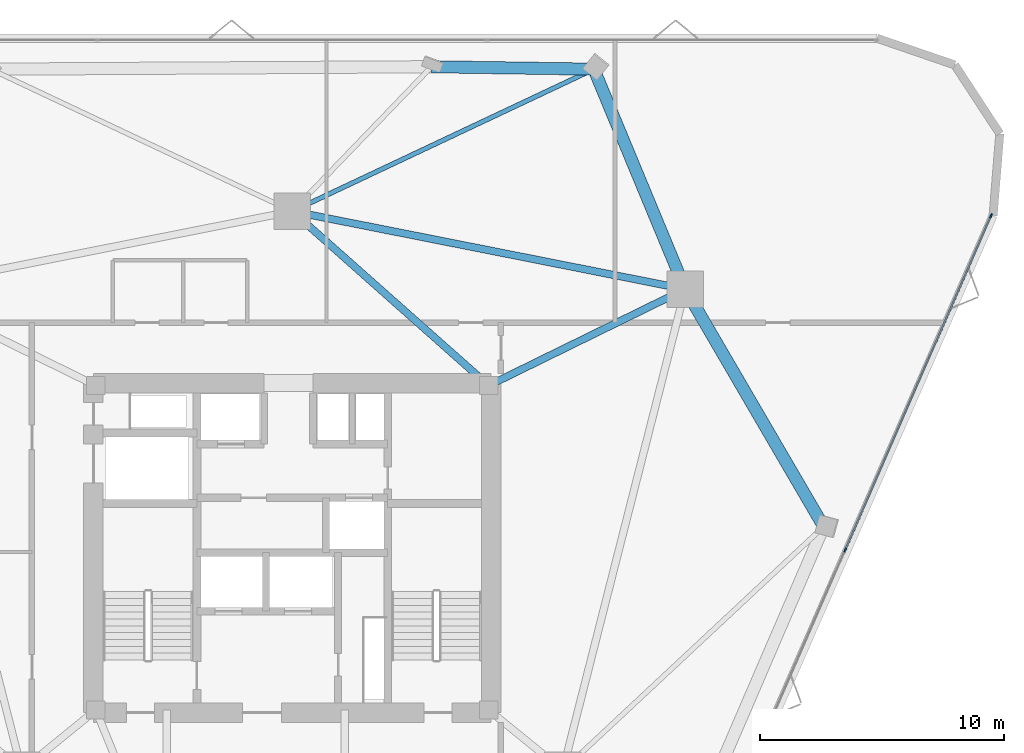
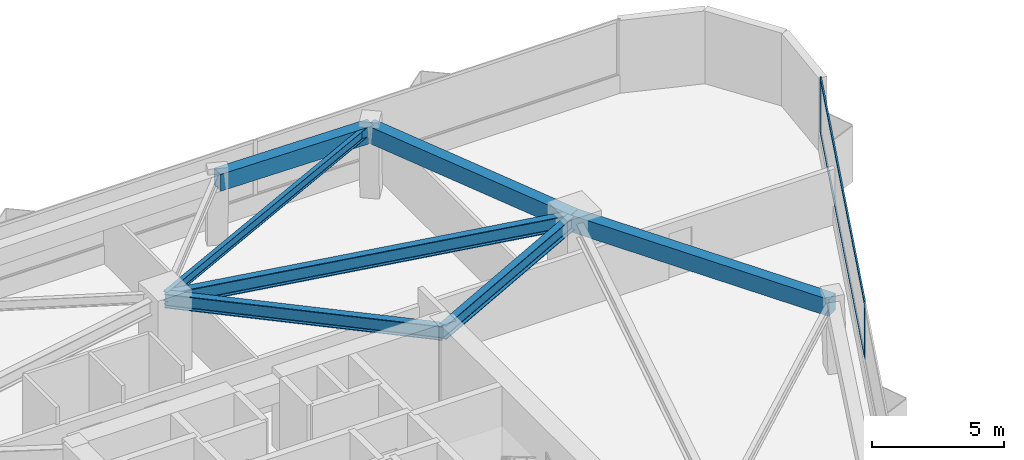
# One storey, part 7 of 14: 7 beams, 4 members, 1 element without a shape of its own.
"""IFC4 building model written with IfcOpenShell, lengths in metres."""

from ifc_helpers import new_model, si_unit, direction, frame, origin, origin_2d, place, context, subcontext, project, spatial, rectangle, i_section, extrude, material, layer, layer_set, material_profile, profile_set, type_object, element, aggregate, save


model = new_model("IFC4")

# Units and contexts
model_context = context("Model", 3, precision=1e-05, world=origin(), true_north=direction((0.0, 1.0)))
body_context = subcontext(model_context, "Body", "Model", "MODEL_VIEW")
ifc_project = project(units=[si_unit("LENGTHUNIT", "METRE"), si_unit("AREAUNIT", "SQUARE_METRE"), si_unit("VOLUMEUNIT", "CUBIC_METRE"), si_unit("PLANEANGLEUNIT", "RADIAN"), si_unit("MASSUNIT", "GRAM", prefix="KILO")], contexts=[model_context])

# Site, building, storey
site_placement = place(None, origin())
site = spatial("IfcSite", under=ifc_project, at=site_placement, CompositionType="ELEMENT")
building_placement = place(site_placement, origin())
building = spatial("IfcBuilding", under=site, at=building_placement, Name="Talyreon Biosciences Tower", CompositionType="ELEMENT")
storey_placement = place(building_placement, frame((0.0, 0.0, 138.14990234375)))
storey = spatial("IfcBuildingStorey", under=building, at=storey_placement, Name="L36", CompositionType="ELEMENT", Elevation=138.14990234375)

# Curtain wall, members
ifc_material_1 = material(Name="Thermally broken aluminium and low-E glazing", Category="aluminium")
ifc_layer = layer(ifc_material_1, 0.18505859375)
ifc_layer_set = layer_set([ifc_layer], Name="Thermally broken aluminium and low-E glazing")
curtain_wall_type = type_object("IfcCurtainWallType", Name="CurtainWall_Zone3Bioprocess", PredefinedType="NOTDEFINED", material=ifc_layer_set)
curtain_wall_placement = place(storey_placement, origin())
curtain_wall = element("IfcCurtainWall", 1, at=curtain_wall_placement, inside=storey, type_object=curtain_wall_type, Name="L36 Unitised Curtain Wall FCW-L36-08", PredefinedType="NOTDEFINED")
ifc_material_2 = material(Name="Anodised thermally broken aluminium", Category="aluminium")
ifc_material_profile_1 = material_profile(ifc_material_2, rectangle(XDim=0.06494140625, YDim=0.179931640625, at=origin_2d()), Name="ALUM MULLION 65x180")
ifc_profile_set_1 = profile_set([ifc_material_profile_1], Name="Anodised thermally broken aluminium")
member_type_1 = type_object("IfcMemberType", Name="CWMullion_65x180", PredefinedType="MULLION", material=ifc_profile_set_1)
member_1_placement = place(storey_placement, frame((94.637451171875, 81.609130859375, 0.81005859375), z_axis=(0.0, 0.0, 1.0), x_axis=(0.916566441856, -0.399882429801, 0.0)))
member_1 = element("IfcMember", 2, at=member_1_placement, type_object=member_type_1, Name="CW4 mullion 1", PredefinedType="MULLION", context=body_context, shape_type="SweptSolid", body=[
    extrude(rectangle(XDim=0.06494140625, YDim=0.179931640625, at=origin_2d()), origin(), (0.0, 0.0, 1.0), 2.56494140625),
])
member_2_placement = place(storey_placement, frame((88.6611328125, 67.910400390625, 0.81005859375), z_axis=(0.0, 0.0, 1.0), x_axis=(0.916566441856, -0.399882429801, 0.0)))
member_2 = element("IfcMember", 3, at=member_2_placement, type_object=member_type_1, Name="CW4 mullion 2", PredefinedType="MULLION", context=body_context, shape_type="SweptSolid", body=[
    extrude(rectangle(XDim=0.06494140625, YDim=0.179931640625, at=origin_2d()), origin(), (0.0, 0.0, 1.0), 2.56494140625),
])
ifc_material_profile_2 = material_profile(ifc_material_2, rectangle(XDim=0.06494140625, YDim=0.139892578125, at=origin_2d()), Name="ALUM TRANSOM 65x140")
ifc_profile_set_2 = profile_set([ifc_material_profile_2], Name="Anodised thermally broken aluminium")
member_type_2 = type_object("IfcMemberType", Name="CWTransom_65x140", PredefinedType="USERDEFINED", material=ifc_profile_set_2)
member_3_placement = place(storey_placement, frame((94.62451171875, 81.5791015625, 0.842529296875), z_axis=(-0.39988306059, -0.916566166653, 0.0), x_axis=(0.916566166653, -0.39988306059, 0.0)))
member_3 = element("IfcMember", 4, at=member_3_placement, type_object=member_type_2, Name="CW4 transom 1.1", ObjectType="TRANSOM", PredefinedType="USERDEFINED", context=body_context, shape_type="SweptSolid", body=[
    extrude(rectangle(XDim=0.06494140625, YDim=0.139892578125, at=origin_2d()), origin(), (0.0, 0.0, 1.0), 14.88037109375),
])
member_4_placement = place(storey_placement, frame((94.62451171875, 81.5791015625, 3.342529296875), z_axis=(-0.39988306059, -0.916566166653, 0.0), x_axis=(0.916566166653, -0.39988306059, 0.0)))
member_4 = element("IfcMember", 5, at=member_4_placement, type_object=member_type_2, Name="CW4 transom 1.2", ObjectType="TRANSOM", PredefinedType="USERDEFINED", context=body_context, shape_type="SweptSolid", body=[
    extrude(rectangle(XDim=0.06494140625, YDim=0.139892578125, at=origin_2d()), origin(), (0.0, 0.0, 1.0), 14.88037109375),
])
aggregate(curtain_wall, [member_1, member_2, member_3, member_4])

# Beams
ifc_material_3 = material(Name="Precast concrete C45/55", Category="concrete")
ifc_material_profile_3 = material_profile(ifc_material_3, rectangle(XDim=0.5, YDim=0.780029296875, at=origin_2d()), Name="RCB 500x780")
ifc_profile_set_3 = profile_set([ifc_material_profile_3], Name="Precast concrete C45/55")
beam_type_1 = type_object("IfcBeamType", Name="ExpressedSpandrel_500x780", PredefinedType="SPANDREL", material=ifc_profile_set_3)
beam_1_placement = place(storey_placement, frame((87.77685546875, 68.86669921875, 2.985107421875), z_axis=(-0.503712017372, 0.86387163604, 0.0), x_axis=(-0.86387163604, -0.503712017372, 0.0)))
element("IfcBeam", 6, at=beam_1_placement, inside=storey, type_object=beam_type_1, Name="L36 Expressed Horizontal Concrete Spandrel 04", PredefinedType="SPANDREL", context=body_context, shape_type="SweptSolid", body=[
    extrude(rectangle(XDim=0.5, YDim=0.780029296875, at=origin_2d()), origin(), (0.0, 0.0, 1.0), 11.265380859375),
])
beam_2_placement = place(storey_placement, frame((82.102294921875, 78.5986328125, 2.985107421875), z_axis=(-0.383373646128, 0.923593334458, 0.0), x_axis=(-0.923593334458, -0.383373646128, 0.0)))
element("IfcBeam", 7, at=beam_2_placement, inside=storey, type_object=beam_type_1, Name="L36 Expressed Horizontal Concrete Spandrel 05", PredefinedType="SPANDREL", context=body_context, shape_type="SweptSolid", body=[
    extrude(rectangle(XDim=0.5, YDim=0.780029296875, at=origin_2d()), origin(), (0.0, 0.0, 1.0), 9.76123046875),
])
beam_3_placement = place(storey_placement, frame((78.360107421875, 87.614013671875, 2.985107421875), z_axis=(-0.999887472222, 0.01500142974, 0.0), x_axis=(-0.01500142974, -0.999887472222, 0.0)))
element("IfcBeam", 8, at=beam_3_placement, inside=storey, type_object=beam_type_1, Name="L36 Expressed Horizontal Concrete Spandrel 06", PredefinedType="SPANDREL", context=body_context, shape_type="SweptSolid", body=[
    extrude(rectangle(XDim=0.5, YDim=0.780029296875, at=origin_2d()), origin(), (0.0, 0.0, 1.0), 6.65625),
])
ifc_material_4 = material(Name="Steel SM355", Category="steel")
ifc_material_profile_4 = material_profile(ifc_material_4, i_section(OverallWidth=0.300048828125, OverallDepth=0.64990234375, WebThickness=0.01611328125, FlangeThickness=0.031005859375, FilletRadius=0.027099609375, at=origin_2d()), Name="HE650B")
ifc_profile_set_4 = profile_set([ifc_material_profile_4], Name="Steel SM355")
beam_type_2 = type_object("IfcBeamType", Name="SteelBeam_HE650B", PredefinedType="BEAM", material=ifc_profile_set_4)
beam_4_placement = place(storey_placement, frame((82.102294921875, 78.5986328125, 3.050048828125), z_axis=(-0.980933730698, 0.194342522311, 0.0), x_axis=(-0.194342522311, -0.980933730698, 0.0)))
element("IfcBeam", 9, at=beam_4_placement, inside=storey, type_object=beam_type_2, Name="L36 Mega-Ring Girder 3", PredefinedType="BEAM", context=body_context, shape_type="SweptSolid", body=[
    extrude(i_section(OverallWidth=0.300048828125, OverallDepth=0.64990234375, WebThickness=0.01611328125, FlangeThickness=0.031005859375, FilletRadius=0.027099609375, at=origin_2d()), origin(), (0.0, 0.0, 1.0), 16.415283203125),
])
beam_5_placement = place(storey_placement, frame((74.050048828125, 74.64990234375, 3.050048828125), z_axis=(0.897852360314, 0.440296648952, 0.0), x_axis=(-0.440296648952, 0.897852360314, 0.0)))
element("IfcBeam", 10, at=beam_5_placement, inside=storey, type_object=beam_type_2, Name="L36 Radial Primary Girder 3", PredefinedType="BEAM", context=body_context, shape_type="SweptSolid", body=[
    extrude(i_section(OverallWidth=0.300048828125, OverallDepth=0.64990234375, WebThickness=0.01611328125, FlangeThickness=0.031005859375, FilletRadius=0.027099609375, at=origin_2d()), origin(), (0.0, 0.0, 1.0), 8.96826171875),
])
beam_6_placement = place(storey_placement, frame((74.050048828125, 74.64990234375, 3.050048828125), z_axis=(-0.748178733955, 0.663497235908, 0.0), x_axis=(-0.663497235908, -0.748178733955, 0.0)))
element("IfcBeam", 11, at=beam_6_placement, inside=storey, type_object=beam_type_2, Name="L36 Radial Primary Girder 4", PredefinedType="BEAM", context=body_context, shape_type="SweptSolid", body=[
    extrude(i_section(OverallWidth=0.300048828125, OverallDepth=0.64990234375, WebThickness=0.01611328125, FlangeThickness=0.031005859375, FilletRadius=0.027099609375, at=origin_2d()), origin(), (0.0, 0.0, 1.0), 10.759521484375),
])
ifc_material_profile_5 = material_profile(ifc_material_4, i_section(OverallWidth=0.18994140625, OverallDepth=0.449951171875, WebThickness=0.009521484375, FlangeThickness=0.0146484375, FilletRadius=0.02099609375, at=origin_2d()), Name="IPE450")
ifc_profile_set_5 = profile_set([ifc_material_profile_5], Name="Steel SM355")
beam_type_3 = type_object("IfcBeamType", Name="SteelJoist_IPE450", PredefinedType="JOIST", material=ifc_profile_set_5)
beam_7_placement = place(storey_placement, frame((66.0, 81.788818359375, 3.150146484375), z_axis=(0.90457397678, 0.426316690422, 0.0), x_axis=(-0.426316690422, 0.90457397678, 0.0)))
element("IfcBeam", 12, at=beam_7_placement, inside=storey, type_object=beam_type_3, Name="L36 Radial Composite Floor Joist PC-N1", PredefinedType="JOIST", context=body_context, shape_type="SweptSolid", body=[
    extrude(i_section(OverallWidth=0.18994140625, OverallDepth=0.449951171875, WebThickness=0.009521484375, FlangeThickness=0.0146484375, FilletRadius=0.02099609375, at=origin_2d()), origin(), (0.0, 0.0, 1.0), 13.6640625),
])

save(model, "model.ifc")
